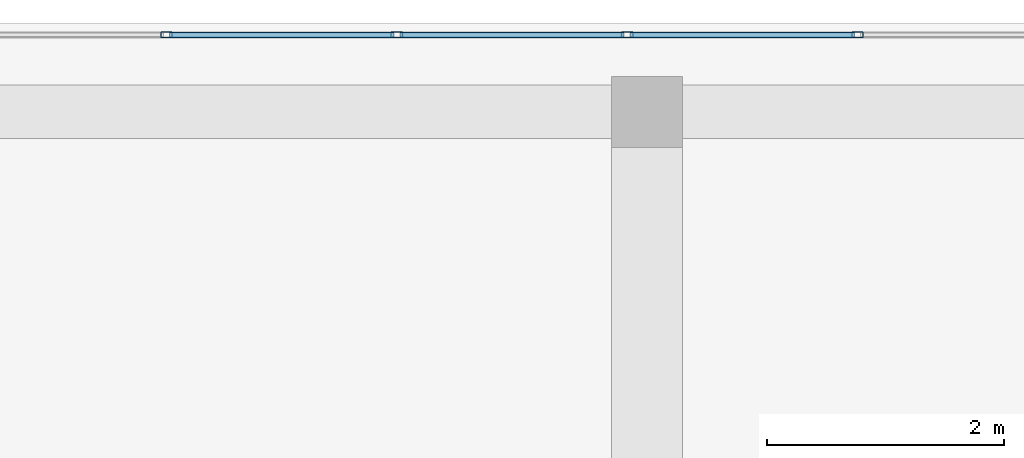
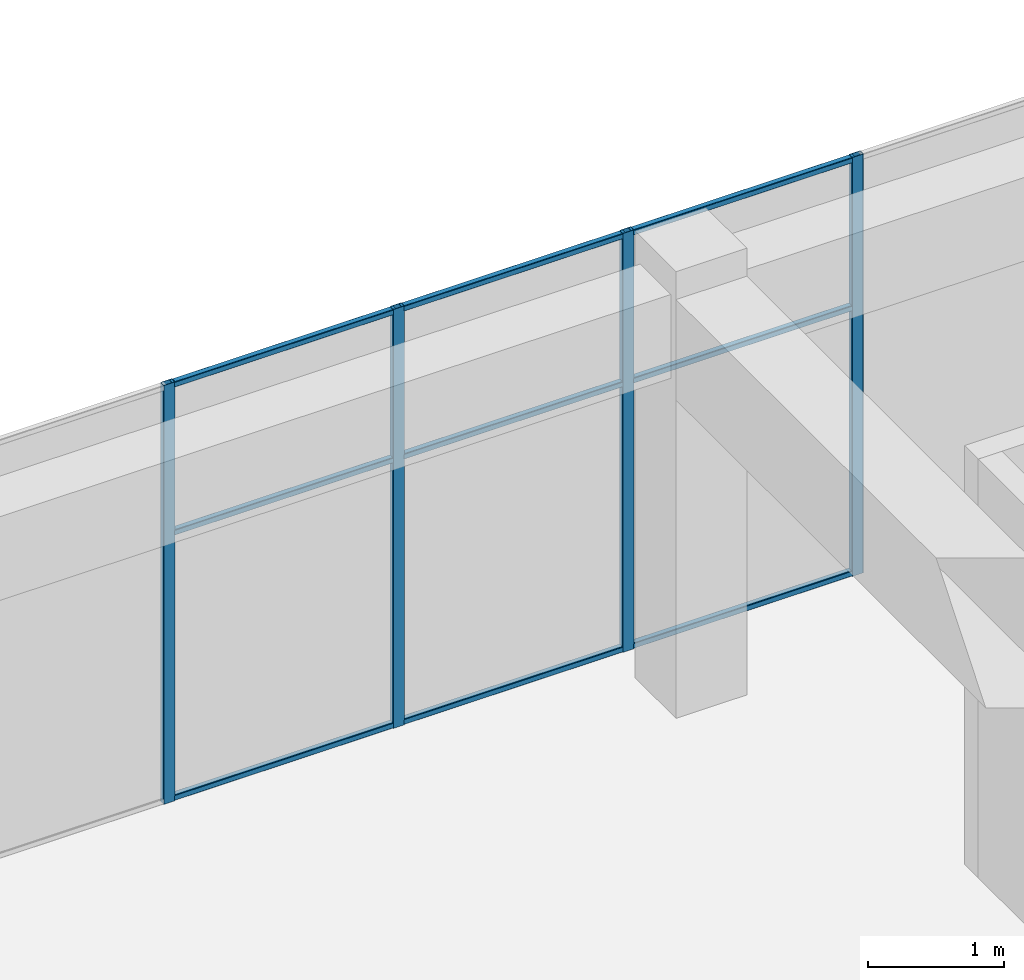
# One storey, part 26 of 35: 13 members, 1 element without a shape of its own.
"""IFC4 building model written with IfcOpenShell, lengths in metres."""

from ifc_helpers import new_model, si_unit, direction, frame, origin, origin_2d, place, context, subcontext, project, spatial, hollow_rectangle, extrude, material, layer, layer_set, material_profile, profile_set, type_object, element, aggregate, save


model = new_model("IFC4")

# Units and contexts
model_context = context("Model", 3, precision=1e-05, world=origin(), true_north=direction((0.0, 1.0)))
body_context = subcontext(model_context, "Body", "Model", "MODEL_VIEW")
ifc_project = project(units=[si_unit("LENGTHUNIT", "METRE"), si_unit("AREAUNIT", "SQUARE_METRE"), si_unit("VOLUMEUNIT", "CUBIC_METRE"), si_unit("PLANEANGLEUNIT", "RADIAN"), si_unit("MASSUNIT", "GRAM", prefix="KILO")], contexts=[model_context])

# Site, building, storey
site_placement = place(None, origin())
site = spatial("IfcSite", under=ifc_project, at=site_placement, CompositionType="ELEMENT")
building_placement = place(site_placement, origin())
building = spatial("IfcBuilding", under=site, at=building_placement, Name="Tuart Plaza Theatre", CompositionType="ELEMENT")
storey_placement = place(building_placement, frame((0.0, 0.0, 45.5)))
storey = spatial("IfcBuildingStorey", under=building, at=storey_placement, Name="L11", CompositionType="ELEMENT", Elevation=45.5)

# Curtain wall, members
ifc_material_1 = material(Name="Aluminium and glass", Category="aluminium")
ifc_layer = layer(ifc_material_1, 0.10009765625)
ifc_layer_set = layer_set([ifc_layer], Name="CURTAIN WALL 2000 module")
curtain_wall_type = type_object("IfcCurtainWallType", Name="CURTAIN WALL 2000 module", PredefinedType="NOTDEFINED", material=ifc_layer_set)
curtain_wall_placement = place(storey_placement, origin())
curtain_wall = element("IfcCurtainWall", 1, at=curtain_wall_placement, inside=storey, type_object=curtain_wall_type, Name="CW105", PredefinedType="NOTDEFINED")
ifc_material_2 = material(Name="Aluminium 6063-T5", Category="aluminium")
ifc_material_profile_1 = material_profile(ifc_material_2, hollow_rectangle(XDim=0.050048828125, YDim=0.10009765625, WallThickness=0.00390625, InnerFilletRadius=0.00390625, OuterFilletRadius=0.008056640625, at=origin_2d()), Name="RHS 100x50x4")
ifc_profile_set_1 = profile_set([ifc_material_profile_1], Name="Aluminium 6063-T5")
member_type_1 = type_object("IfcMemberType", Name="MULLION RHS 100x50x4", PredefinedType="MULLION", material=ifc_profile_set_1)
member_1_placement = place(storey_placement, frame((133.77490234375, 92.64990234375, 0.0), z_axis=(0.0, 0.0, 1.0), x_axis=(0.0, -1.0, 0.0)))
member_1 = element("IfcMember", 2, at=member_1_placement, type_object=member_type_1, Name="CW105 mullion 5", PredefinedType="MULLION", context=body_context, shape_type="SweptSolid", body=[
    extrude(hollow_rectangle(XDim=0.050048828125, YDim=0.10009765625, WallThickness=0.00390625, InnerFilletRadius=0.00390625, OuterFilletRadius=0.008056640625, at=origin_2d()), origin(), (0.0, 0.0, 1.0), 3.75),
])
member_2_placement = place(storey_placement, frame((131.831298828125, 92.64990234375, 0.0), z_axis=(0.0, 0.0, 1.0), x_axis=(0.0, -1.0, 0.0)))
member_2 = element("IfcMember", 3, at=member_2_placement, type_object=member_type_1, Name="CW105 mullion 6", PredefinedType="MULLION", context=body_context, shape_type="SweptSolid", body=[
    extrude(hollow_rectangle(XDim=0.050048828125, YDim=0.10009765625, WallThickness=0.00390625, InnerFilletRadius=0.00390625, OuterFilletRadius=0.008056640625, at=origin_2d()), origin(), (0.0, 0.0, 1.0), 3.75),
])
member_3_placement = place(storey_placement, frame((129.887451171875, 92.64990234375, 0.0), z_axis=(0.0, 0.0, 1.0), x_axis=(0.0, -1.0, 0.0)))
member_3 = element("IfcMember", 4, at=member_3_placement, type_object=member_type_1, Name="CW105 mullion 7", PredefinedType="MULLION", context=body_context, shape_type="SweptSolid", body=[
    extrude(hollow_rectangle(XDim=0.050048828125, YDim=0.10009765625, WallThickness=0.00390625, InnerFilletRadius=0.00390625, OuterFilletRadius=0.008056640625, at=origin_2d()), origin(), (0.0, 0.0, 1.0), 3.75),
])
member_4_placement = place(storey_placement, frame((127.94384765625, 92.64990234375, 0.0), z_axis=(0.0, 0.0, 1.0), x_axis=(0.0, -1.0, 0.0)))
member_4 = element("IfcMember", 5, at=member_4_placement, type_object=member_type_1, Name="CW105 mullion 8", PredefinedType="MULLION", context=body_context, shape_type="SweptSolid", body=[
    extrude(hollow_rectangle(XDim=0.050048828125, YDim=0.10009765625, WallThickness=0.00390625, InnerFilletRadius=0.00390625, OuterFilletRadius=0.008056640625, at=origin_2d()), origin(), (0.0, 0.0, 1.0), 3.75),
])
ifc_material_3 = material(Name="Aluminium 6063-T5", Category="aluminium")
ifc_material_profile_2 = material_profile(ifc_material_3, hollow_rectangle(XDim=0.050048828125, YDim=0.050048828125, WallThickness=0.00390625, InnerFilletRadius=0.00390625, OuterFilletRadius=0.008056640625, at=origin_2d()), Name="RHS 50x50x4")
ifc_profile_set_2 = profile_set([ifc_material_profile_2], Name="Aluminium 6063-T5")
member_type_2 = type_object("IfcMemberType", Name="TRANSOM RHS 50x50x4", PredefinedType="USERDEFINED", material=ifc_profile_set_2)
member_5_placement = place(storey_placement, frame((133.75, 92.64990234375, 0.02490234375), z_axis=(-1.0, 0.0, 0.0), x_axis=(0.0, -1.0, 0.0)))
member_5 = element("IfcMember", 6, at=member_5_placement, type_object=member_type_2, Name="CW105 transom 5.1", ObjectType="TRANSOM", PredefinedType="USERDEFINED", context=body_context, shape_type="SweptSolid", body=[
    extrude(hollow_rectangle(XDim=0.050048828125, YDim=0.050048828125, WallThickness=0.00390625, InnerFilletRadius=0.00390625, OuterFilletRadius=0.008056640625, at=origin_2d()), origin(), (0.0, 0.0, 1.0), 1.893798828125),
])
member_6_placement = place(storey_placement, frame((133.75, 92.64990234375, 2.39990234375), z_axis=(-1.0, 0.0, 0.0), x_axis=(0.0, -1.0, 0.0)))
member_6 = element("IfcMember", 7, at=member_6_placement, type_object=member_type_2, Name="CW105 transom 5.2", ObjectType="TRANSOM", PredefinedType="USERDEFINED", context=body_context, shape_type="SweptSolid", body=[
    extrude(hollow_rectangle(XDim=0.050048828125, YDim=0.050048828125, WallThickness=0.00390625, InnerFilletRadius=0.00390625, OuterFilletRadius=0.008056640625, at=origin_2d()), origin(), (0.0, 0.0, 1.0), 1.893798828125),
])
member_7_placement = place(storey_placement, frame((133.75, 92.64990234375, 3.72509765625), z_axis=(-1.0, 0.0, 0.0), x_axis=(0.0, -1.0, 0.0)))
member_7 = element("IfcMember", 8, at=member_7_placement, type_object=member_type_2, Name="CW105 transom 5.3", ObjectType="TRANSOM", PredefinedType="USERDEFINED", context=body_context, shape_type="SweptSolid", body=[
    extrude(hollow_rectangle(XDim=0.050048828125, YDim=0.050048828125, WallThickness=0.00390625, InnerFilletRadius=0.00390625, OuterFilletRadius=0.008056640625, at=origin_2d()), origin(), (0.0, 0.0, 1.0), 1.893798828125),
])
member_8_placement = place(storey_placement, frame((131.80615234375, 92.64990234375, 0.02490234375), z_axis=(-1.0, 0.0, 0.0), x_axis=(0.0, -1.0, 0.0)))
member_8 = element("IfcMember", 9, at=member_8_placement, type_object=member_type_2, Name="CW105 transom 6.1", ObjectType="TRANSOM", PredefinedType="USERDEFINED", context=body_context, shape_type="SweptSolid", body=[
    extrude(hollow_rectangle(XDim=0.050048828125, YDim=0.050048828125, WallThickness=0.00390625, InnerFilletRadius=0.00390625, OuterFilletRadius=0.008056640625, at=origin_2d()), origin(), (0.0, 0.0, 1.0), 1.8935546875),
])
member_9_placement = place(storey_placement, frame((131.80615234375, 92.64990234375, 2.39990234375), z_axis=(-1.0, 0.0, 0.0), x_axis=(0.0, -1.0, 0.0)))
member_9 = element("IfcMember", 10, at=member_9_placement, type_object=member_type_2, Name="CW105 transom 6.2", ObjectType="TRANSOM", PredefinedType="USERDEFINED", context=body_context, shape_type="SweptSolid", body=[
    extrude(hollow_rectangle(XDim=0.050048828125, YDim=0.050048828125, WallThickness=0.00390625, InnerFilletRadius=0.00390625, OuterFilletRadius=0.008056640625, at=origin_2d()), origin(), (0.0, 0.0, 1.0), 1.8935546875),
])
member_10_placement = place(storey_placement, frame((131.80615234375, 92.64990234375, 3.72509765625), z_axis=(-1.0, 0.0, 0.0), x_axis=(0.0, -1.0, 0.0)))
member_10 = element("IfcMember", 11, at=member_10_placement, type_object=member_type_2, Name="CW105 transom 6.3", ObjectType="TRANSOM", PredefinedType="USERDEFINED", context=body_context, shape_type="SweptSolid", body=[
    extrude(hollow_rectangle(XDim=0.050048828125, YDim=0.050048828125, WallThickness=0.00390625, InnerFilletRadius=0.00390625, OuterFilletRadius=0.008056640625, at=origin_2d()), origin(), (0.0, 0.0, 1.0), 1.8935546875),
])
member_11_placement = place(storey_placement, frame((129.862548828125, 92.64990234375, 0.02490234375), z_axis=(-1.0, 0.0, 0.0), x_axis=(0.0, -1.0, 0.0)))
member_11 = element("IfcMember", 12, at=member_11_placement, type_object=member_type_2, Name="CW105 transom 7.1", ObjectType="TRANSOM", PredefinedType="USERDEFINED", context=body_context, shape_type="SweptSolid", body=[
    extrude(hollow_rectangle(XDim=0.050048828125, YDim=0.050048828125, WallThickness=0.00390625, InnerFilletRadius=0.00390625, OuterFilletRadius=0.008056640625, at=origin_2d()), origin(), (0.0, 0.0, 1.0), 1.893798828125),
])
member_12_placement = place(storey_placement, frame((129.862548828125, 92.64990234375, 2.39990234375), z_axis=(-1.0, 0.0, 0.0), x_axis=(0.0, -1.0, 0.0)))
member_12 = element("IfcMember", 13, at=member_12_placement, type_object=member_type_2, Name="CW105 transom 7.2", ObjectType="TRANSOM", PredefinedType="USERDEFINED", context=body_context, shape_type="SweptSolid", body=[
    extrude(hollow_rectangle(XDim=0.050048828125, YDim=0.050048828125, WallThickness=0.00390625, InnerFilletRadius=0.00390625, OuterFilletRadius=0.008056640625, at=origin_2d()), origin(), (0.0, 0.0, 1.0), 1.893798828125),
])
member_13_placement = place(storey_placement, frame((129.862548828125, 92.64990234375, 3.72509765625), z_axis=(-1.0, 0.0, 0.0), x_axis=(0.0, -1.0, 0.0)))
member_13 = element("IfcMember", 14, at=member_13_placement, type_object=member_type_2, Name="CW105 transom 7.3", ObjectType="TRANSOM", PredefinedType="USERDEFINED", context=body_context, shape_type="SweptSolid", body=[
    extrude(hollow_rectangle(XDim=0.050048828125, YDim=0.050048828125, WallThickness=0.00390625, InnerFilletRadius=0.00390625, OuterFilletRadius=0.008056640625, at=origin_2d()), origin(), (0.0, 0.0, 1.0), 1.893798828125),
])
aggregate(curtain_wall, [member_1, member_2, member_3, member_4, member_5, member_6, member_7, member_8, member_9, member_10, member_11, member_12, member_13])

save(model, "model.ifc")
